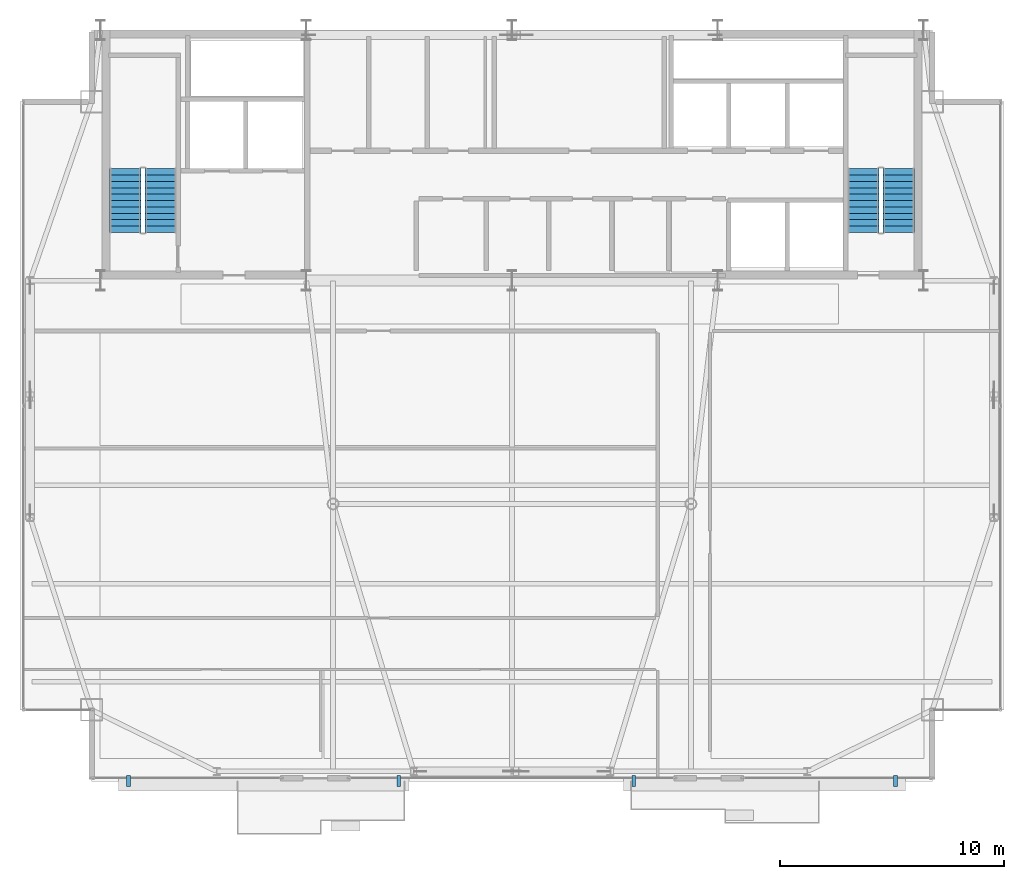
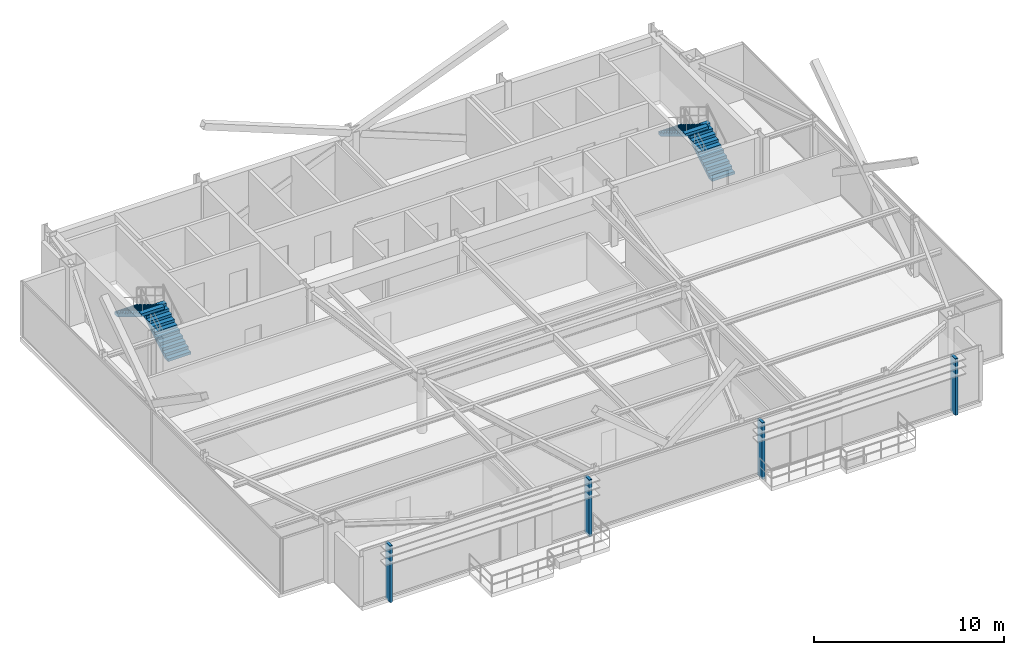
# One storey, part 23 of 25: 4 discrete accessories, 4 stair flights, 2 elements without a shape of their own.
"""IFC4 building model written with IfcOpenShell, lengths in metres."""

from ifc_helpers import new_model, si_unit, direction, frame, origin, origin_2d, place, context, subcontext, project, spatial, polyline, rectangle, outline, extrude, source, transform, mapped, material, layer, layer_set, type_object, type_shapes, element, aggregate, save


model = new_model("IFC4")

# Units and contexts
model_context = context("Model", 3, precision=1e-05, world=origin(), true_north=direction((0.0, 1.0)))
body_context = subcontext(model_context, "Body", "Model", "MODEL_VIEW")
ifc_project = project(units=[si_unit("LENGTHUNIT", "METRE"), si_unit("AREAUNIT", "SQUARE_METRE"), si_unit("VOLUMEUNIT", "CUBIC_METRE"), si_unit("PLANEANGLEUNIT", "RADIAN"), si_unit("MASSUNIT", "GRAM", prefix="KILO")], contexts=[model_context])

# Site, building, storey
site_placement = place(None, origin())
site = spatial("IfcSite", under=ifc_project, at=site_placement, CompositionType="ELEMENT")
building_placement = place(site_placement, origin())
building = spatial("IfcBuilding", under=site, at=building_placement, Name="Varnel Quay Broadcast Tower", CompositionType="ELEMENT")
storey_placement = place(building_placement, frame((0.0, 0.0, 288.800048828125)))
storey = spatial("IfcBuildingStorey", under=building, at=storey_placement, Name="L72", CompositionType="ELEMENT", Elevation=288.800048828125)

# Stair, stair flights
ifc_material_1 = material(Name="Precast Structural Concrete C40/50", Category="concrete")
stair_type_1 = type_object("IfcStairType", Name="Stair_ST-01", PredefinedType="HALF_TURN_STAIR", material=ifc_material_1)
stair_1_placement = place(storey_placement, origin())
stair_1 = element("IfcStair", 1, at=stair_1_placement, inside=storey, type_object=stair_type_1, Name="L72 West Core Exit Stair 1", PredefinedType="HALF_TURN_STAIR")
stair_flight_type_1 = type_object("IfcStairFlightType", Name="Flight_ST-01", PredefinedType="STRAIGHT", material=ifc_material_1)
stair_flight_1_placement = place(storey_placement, frame((18.300048828125, 37.75, 0.0), z_axis=(0.0, 0.0, 1.0), x_axis=(0.0, 1.0, 0.0)))
stair_flight_1 = element("IfcStairFlight", 2, at=stair_flight_1_placement, type_object=stair_flight_type_1, Name="ST-01 flight 1", NumberOfRisers=11, NumberOfTreads=10, PredefinedType="STRAIGHT", RiserHeight=0.172727273, TreadLength=0.285, context=body_context, shape_type="SweptSolid", body=[
    extrude(outline(polyline([(0.0, 0.0), (0.0, 0.172607421875), (0.284912109375, 0.172607421875), (0.284912109375, 0.345458984375), (0.570068359375, 0.345458984375), (0.570068359375, 0.51806640625), (0.85498046875, 0.51806640625), (0.85498046875, 0.69091796875), (1.139892578125, 0.69091796875), (1.139892578125, 0.863525390625), (1.425048828125, 0.863525390625), (1.425048828125, 1.036376953125), (1.7099609375, 1.036376953125), (1.7099609375, 1.208984375), (1.9951171875, 1.208984375), (1.9951171875, 1.3818359375), (2.280029296875, 1.3818359375), (2.280029296875, 1.554443359375), (2.56494140625, 1.554443359375), (2.56494140625, 1.727294921875), (2.85009765625, 1.727294921875), (2.85009765625, 1.89990234375), (2.85009765625, 1.552001953125), (0.289306640625, 0.0), (0.0, 0.0)])), frame((0.0, 0.699951171875, 0.0), z_axis=(0.0, -1.0, 0.0), x_axis=(1.0, 0.0, 0.0)), (0.0, 0.0, 1.0), 1.39990234375),
])
stair_flight_2_placement = place(storey_placement, frame((16.699951171875, 40.60009765625, 1.89990234375), z_axis=(0.0, 0.0, 1.0), x_axis=(0.0, -1.0, 0.0)))
stair_flight_2 = element("IfcStairFlight", 3, at=stair_flight_2_placement, type_object=stair_flight_type_1, Name="ST-01 flight 2", NumberOfRisers=11, NumberOfTreads=10, PredefinedType="STRAIGHT", RiserHeight=0.172727273, TreadLength=0.285, context=body_context, shape_type="SweptSolid", body=[
    extrude(outline(polyline([(0.0, 0.0), (0.0, 0.172607421875), (0.284912109375, 0.172607421875), (0.284912109375, 0.345458984375), (0.570068359375, 0.345458984375), (0.570068359375, 0.51806640625), (0.85498046875, 0.51806640625), (0.85498046875, 0.69091796875), (1.139892578125, 0.69091796875), (1.139892578125, 0.863525390625), (1.425048828125, 0.863525390625), (1.425048828125, 1.036376953125), (1.7099609375, 1.036376953125), (1.7099609375, 1.208984375), (1.9951171875, 1.208984375), (1.9951171875, 1.3818359375), (2.280029296875, 1.3818359375), (2.280029296875, 1.554443359375), (2.56494140625, 1.554443359375), (2.56494140625, 1.727294921875), (2.85009765625, 1.727294921875), (2.85009765625, 1.89990234375), (2.85009765625, 1.552001953125), (0.289306640625, 0.0), (0.0, 0.0)])), frame((0.0, 0.699951171875, 0.0), z_axis=(0.0, -1.0, 0.0), x_axis=(1.0, 0.0, 0.0)), (0.0, 0.0, 1.0), 1.39990234375),
])
aggregate(stair_1, [stair_flight_1, stair_flight_2])

stair_type_2 = type_object("IfcStairType", Name="Stair_ST-02", PredefinedType="HALF_TURN_STAIR", material=ifc_material_1)
stair_2_placement = place(storey_placement, origin())
stair_2 = element("IfcStair", 4, at=stair_2_placement, inside=storey, type_object=stair_type_2, Name="L72 East Core Exit Stair 2", PredefinedType="HALF_TURN_STAIR")
stair_flight_type_2 = type_object("IfcStairFlightType", Name="Flight_ST-02", PredefinedType="STRAIGHT", material=ifc_material_1)
stair_flight_3_placement = place(storey_placement, frame((51.300048828125, 37.75, 0.0), z_axis=(0.0, 0.0, 1.0), x_axis=(0.0, 1.0, 0.0)))
stair_flight_3 = element("IfcStairFlight", 5, at=stair_flight_3_placement, type_object=stair_flight_type_2, Name="ST-02 flight 1", NumberOfRisers=11, NumberOfTreads=10, PredefinedType="STRAIGHT", RiserHeight=0.172727273, TreadLength=0.285, context=body_context, shape_type="SweptSolid", body=[
    extrude(outline(polyline([(0.0, 0.0), (0.0, 0.172607421875), (0.284912109375, 0.172607421875), (0.284912109375, 0.345458984375), (0.570068359375, 0.345458984375), (0.570068359375, 0.51806640625), (0.85498046875, 0.51806640625), (0.85498046875, 0.69091796875), (1.139892578125, 0.69091796875), (1.139892578125, 0.863525390625), (1.425048828125, 0.863525390625), (1.425048828125, 1.036376953125), (1.7099609375, 1.036376953125), (1.7099609375, 1.208984375), (1.9951171875, 1.208984375), (1.9951171875, 1.3818359375), (2.280029296875, 1.3818359375), (2.280029296875, 1.554443359375), (2.56494140625, 1.554443359375), (2.56494140625, 1.727294921875), (2.85009765625, 1.727294921875), (2.85009765625, 1.89990234375), (2.85009765625, 1.552001953125), (0.289306640625, 0.0), (0.0, 0.0)])), frame((0.0, 0.699951171875, 0.0), z_axis=(0.0, -1.0, 0.0), x_axis=(1.0, 0.0, 0.0)), (0.0, 0.0, 1.0), 1.39990234375),
])
stair_flight_4_placement = place(storey_placement, frame((49.699951171875, 40.60009765625, 1.89990234375), z_axis=(0.0, 0.0, 1.0), x_axis=(0.0, -1.0, 0.0)))
stair_flight_4 = element("IfcStairFlight", 6, at=stair_flight_4_placement, type_object=stair_flight_type_2, Name="ST-02 flight 2", NumberOfRisers=11, NumberOfTreads=10, PredefinedType="STRAIGHT", RiserHeight=0.172727273, TreadLength=0.285, context=body_context, shape_type="SweptSolid", body=[
    extrude(outline(polyline([(0.0, 0.0), (0.0, 0.172607421875), (0.284912109375, 0.172607421875), (0.284912109375, 0.345458984375), (0.570068359375, 0.345458984375), (0.570068359375, 0.51806640625), (0.85498046875, 0.51806640625), (0.85498046875, 0.69091796875), (1.139892578125, 0.69091796875), (1.139892578125, 0.863525390625), (1.425048828125, 0.863525390625), (1.425048828125, 1.036376953125), (1.7099609375, 1.036376953125), (1.7099609375, 1.208984375), (1.9951171875, 1.208984375), (1.9951171875, 1.3818359375), (2.280029296875, 1.3818359375), (2.280029296875, 1.554443359375), (2.56494140625, 1.554443359375), (2.56494140625, 1.727294921875), (2.85009765625, 1.727294921875), (2.85009765625, 1.89990234375), (2.85009765625, 1.552001953125), (0.289306640625, 0.0), (0.0, 0.0)])), frame((0.0, 0.699951171875, 0.0), z_axis=(0.0, -1.0, 0.0), x_axis=(1.0, 0.0, 0.0)), (0.0, 0.0, 1.0), 1.39990234375),
])
aggregate(stair_2, [stair_flight_3, stair_flight_4])

# Discrete accessories
ifc_material_2 = material(Name="Anodised Bronze Aluminium 6063-T6", Category="aluminium")
ifc_layer = layer(ifc_material_2, 0.47998046875, Name="Anodised Bronze Aluminium 6063-T6")
ifc_layer_set = layer_set([ifc_layer], Name="Anodised Bronze Aluminium 6063-T6")
discrete_accessory_type = type_object("IfcDiscreteAccessoryType", Name="Acc_FacadeBracket", PredefinedType="BRACKET", material=ifc_layer_set)
shared_shape = source(origin(), body_context, "Body", "SweptSolid", [
    extrude(rectangle(XDim=0.159912109375, YDim=0.47998046875, at=origin_2d()), origin(), (0.0, 0.0, 1.0), 3.64990234375),
])
type_shapes(discrete_accessory_type, [shared_shape])
for number, where, z_axis, x_axis, name in (
    (7, (16.85009765625, 13.219970703125, -0.14990234375), (0.0, 0.0, 1.0), (1.0, 0.0, 0.0), "L72 Lobe 1 Louvre Support Bracket 1"),
    (8, (28.93701171875, 13.219970703125, -0.14990234375), (0.0, 0.0, 1.0), (1.0, 0.0, 0.0), "L72 Lobe 1 Louvre Support Bracket 2"),
    (9, (39.43701171875, 13.219970703125, -0.14990234375), (0.0, 0.0, 1.0), (1.0, 0.0, 0.0), "L72 Lobe 2 Louvre Support Bracket 1"),
    (10, (51.14990234375, 13.219970703125, -0.14990234375), (0.0, 0.0, 1.0), (1.0, 0.0, 0.0), "L72 Lobe 2 Louvre Support Bracket 2"),
):
    element("IfcDiscreteAccessory", number, at=place(storey_placement, frame(where, z_axis=z_axis, x_axis=x_axis)), inside=storey, type_object=discrete_accessory_type, Name=name, PredefinedType="BRACKET", context=body_context, shape_type="MappedRepresentation", body=[
        mapped(shared_shape, transform((0.0, 0.0, 0.0), x_axis=(1.0, 0.0, 0.0), y_axis=(0.0, 1.0, 0.0), z_axis=(0.0, 0.0, 1.0), scale=1.0)),
    ])

save(model, "model.ifc")
